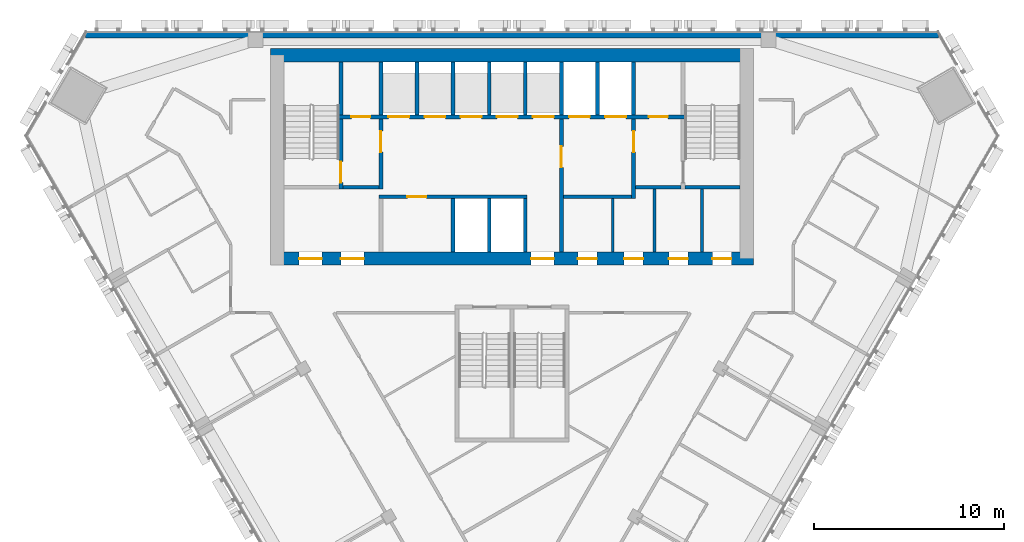
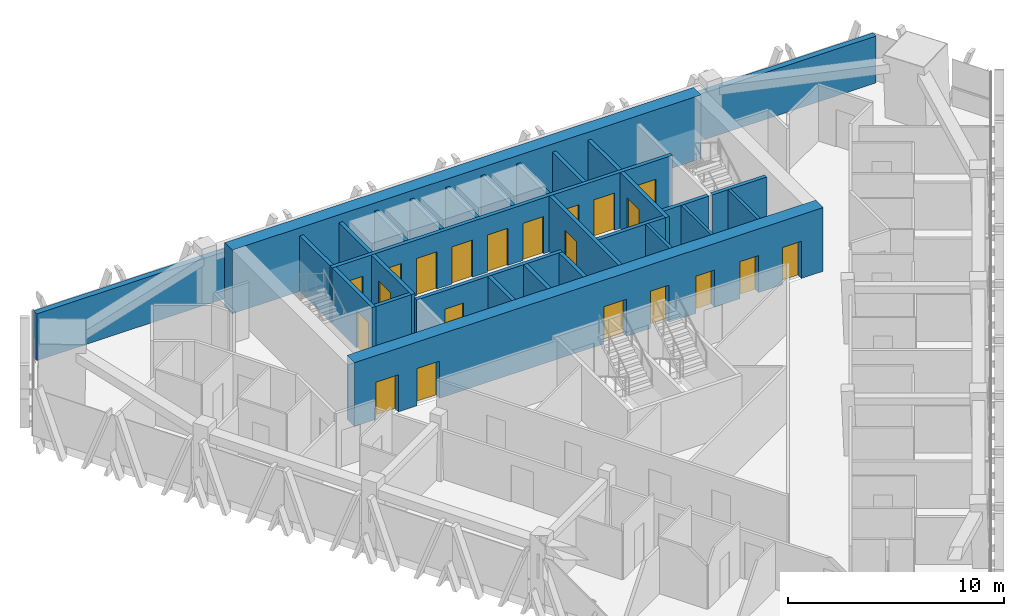
# One storey, part 11 of 16: 28 walls, 21 doors, 21 openings.
"""IFC4 building model written with IfcOpenShell, lengths in metres."""

from ifc_helpers import new_model, si_unit, direction, frame, frame_2d, origin, place, context, subcontext, project, spatial, rectangle, extrude, material, layer, layer_set, type_object, element, fill, save


model = new_model("IFC4")

# Units and contexts
model_context = context("Model", 3, precision=1e-05, world=origin(), true_north=direction((0.0, 1.0)))
body_context = subcontext(model_context, "Body", "Model", "MODEL_VIEW")
ifc_project = project(units=[si_unit("LENGTHUNIT", "METRE"), si_unit("AREAUNIT", "SQUARE_METRE"), si_unit("VOLUMEUNIT", "CUBIC_METRE"), si_unit("PLANEANGLEUNIT", "RADIAN"), si_unit("MASSUNIT", "GRAM", prefix="KILO")], contexts=[model_context])

# Site, building, storey
site_placement = place(None, origin())
site = spatial("IfcSite", under=ifc_project, at=site_placement, CompositionType="ELEMENT")
building_placement = place(site_placement, origin())
building = spatial("IfcBuilding", under=site, at=building_placement, Name="Altiplano Prism Tower", CompositionType="ELEMENT")
storey_placement = place(building_placement, frame((0.0, 0.0, 198.0)))
storey = spatial("IfcBuildingStorey", under=building, at=storey_placement, Name="L51", CompositionType="ELEMENT", Elevation=198.0)

# Wall, openings, doors
ifc_material_1 = material(Name="Concrete C60/75", Category="concrete")
ifc_layer_1 = layer(ifc_material_1, 0.699951171875)
ifc_layer_set_1 = layer_set([ifc_layer_1], Name="Concrete C60/75")
wall_type_1 = type_object("IfcWallType", Name="Core wall 700", PredefinedType="SHEAR", material=ifc_layer_set_1)
wall_1_placement = place(storey_placement, frame((72.64990234375, 93.050048828125, 0.0), z_axis=(0.0, 0.0, 1.0), x_axis=(1.0, 0.0, 0.0)))
wall_1 = element("IfcWall", 1, at=wall_1_placement, inside=storey, type_object=wall_type_1, Name="Core wall S L51", PredefinedType="SHEAR", context=body_context, shape_type="SweptSolid", body=[
    extrude(rectangle(XDim=25.050048828125, YDim=0.699951171875, at=frame_2d((12.52490234375, 0.0))), origin(), (0.0, 0.0, 1.0), 3.60009765625),
])
opening_1_placement = place(wall_1_placement, frame((1.14990234375, 0.0, 0.0)))
opening_1 = element("IfcOpeningElement", 2, at=opening_1_placement, cuts=wall_1, Name="Opening D3287", PredefinedType="OPENING", context=body_context, shape_type="SweptSolid", body=[
    extrude(rectangle(XDim=1.199951171875, YDim=2.10009765625, at=frame_2d((0.60009765625, 1.050048828125))), frame((0.0, 0.3603515625, 0.0), z_axis=(0.0, -1.0, 0.0), x_axis=(1.0, 0.0, 0.0)), (0.0, 0.0, 1.0), 0.720947265625),
])
opening_2_placement = place(wall_1_placement, frame((3.35009765625, 0.0, 0.0)))
opening_2 = element("IfcOpeningElement", 3, at=opening_2_placement, cuts=wall_1, Name="Opening D3288", PredefinedType="OPENING", context=body_context, shape_type="SweptSolid", body=[
    extrude(rectangle(XDim=1.199951171875, YDim=2.10009765625, at=frame_2d((0.60009765625, 1.050048828125))), frame((0.0, 0.3603515625, 0.0), z_axis=(0.0, -1.0, 0.0), x_axis=(1.0, 0.0, 0.0)), (0.0, 0.0, 1.0), 0.720947265625),
])
opening_3_placement = place(wall_1_placement, frame((13.35009765625, 0.0, 0.0)))
opening_3 = element("IfcOpeningElement", 4, at=opening_3_placement, cuts=wall_1, Name="Opening D3289", PredefinedType="OPENING", context=body_context, shape_type="SweptSolid", body=[
    extrude(rectangle(XDim=1.199951171875, YDim=2.10009765625, at=frame_2d((0.60009765625, 1.050048828125))), frame((0.0, 0.3603515625, 0.0), z_axis=(0.0, -1.0, 0.0), x_axis=(1.0, 0.0, 0.0)), (0.0, 0.0, 1.0), 0.720947265625),
])
opening_4_placement = place(wall_1_placement, frame((15.8125, 0.0, 0.0)))
opening_4 = element("IfcOpeningElement", 5, at=opening_4_placement, cuts=wall_1, Name="Opening D3292", PredefinedType="OPENING", context=body_context, shape_type="SweptSolid", body=[
    extrude(rectangle(XDim=1.0, YDim=2.10009765625, at=frame_2d((0.5, 1.050048828125))), frame((0.0, 0.3603515625, 0.0), z_axis=(0.0, -1.0, 0.0), x_axis=(1.0, 0.0, 0.0)), (0.0, 0.0, 1.0), 0.720947265625),
])
opening_5_placement = place(wall_1_placement, frame((18.25, 0.0, 0.0)))
opening_5 = element("IfcOpeningElement", 6, at=opening_5_placement, cuts=wall_1, Name="Opening D3293", PredefinedType="OPENING", context=body_context, shape_type="SweptSolid", body=[
    extrude(rectangle(XDim=1.0, YDim=2.10009765625, at=frame_2d((0.5, 1.050048828125))), frame((0.0, 0.3603515625, 0.0), z_axis=(0.0, -1.0, 0.0), x_axis=(1.0, 0.0, 0.0)), (0.0, 0.0, 1.0), 0.720947265625),
])
opening_6_placement = place(wall_1_placement, frame((20.60009765625, 0.0, 0.0)))
opening_6 = element("IfcOpeningElement", 7, at=opening_6_placement, cuts=wall_1, Name="Opening D3294", PredefinedType="OPENING", context=body_context, shape_type="SweptSolid", body=[
    extrude(rectangle(XDim=1.0, YDim=2.10009765625, at=frame_2d((0.5, 1.050048828125))), frame((0.0, 0.3603515625, 0.0), z_axis=(0.0, -1.0, 0.0), x_axis=(1.0, 0.0, 0.0)), (0.0, 0.0, 1.0), 0.720947265625),
])
opening_7_placement = place(wall_1_placement, frame((22.887451171875, 0.0, 0.0)))
opening_7 = element("IfcOpeningElement", 8, at=opening_7_placement, cuts=wall_1, Name="Opening D3295", PredefinedType="OPENING", context=body_context, shape_type="SweptSolid", body=[
    extrude(rectangle(XDim=1.0, YDim=2.10009765625, at=frame_2d((0.5, 1.050048828125))), frame((0.0, 0.3603515625, 0.0), z_axis=(0.0, -1.0, 0.0), x_axis=(1.0, 0.0, 0.0)), (0.0, 0.0, 1.0), 0.720947265625),
])
ifc_material_2 = material(Name="Fire-rated steel door", Category="steel")
door_type_1 = type_object("IfcDoorType", Name="Core room door 1000 x 2100", OperationType="NOTDEFINED", PredefinedType="NOTDEFINED", material=ifc_material_2)
door_1_placement = place(opening_4_placement, origin())
door_1 = element("IfcDoor", 9, at=door_1_placement, inside=storey, type_object=door_type_1, Name="Core room door D3292", OperationType="SINGLE_SWING_RIGHT", OverallHeight=2.10009765625, OverallWidth=1.0, PredefinedType="NOTDEFINED", context=body_context, shape_type="SweptSolid", body=[
    extrude(rectangle(XDim=1.0, YDim=2.10009765625, at=frame_2d((0.5, 1.050048828125))), frame((0.0, 0.02490234375, 0.0), z_axis=(0.0, -1.0, 0.0), x_axis=(1.0, 0.0, 0.0)), (0.0, 0.0, 1.0), 0.050048828125),
])
fill(opening_4, door_1)
door_2_placement = place(opening_5_placement, origin())
door_2 = element("IfcDoor", 10, at=door_2_placement, inside=storey, type_object=door_type_1, Name="Core room door D3293", OperationType="SINGLE_SWING_LEFT", OverallHeight=2.10009765625, OverallWidth=1.0, PredefinedType="NOTDEFINED", context=body_context, shape_type="SweptSolid", body=[
    extrude(rectangle(XDim=1.0, YDim=2.10009765625, at=frame_2d((0.5, 1.050048828125))), frame((0.0, 0.02490234375, 0.0), z_axis=(0.0, -1.0, 0.0), x_axis=(1.0, 0.0, 0.0)), (0.0, 0.0, 1.0), 0.050048828125),
])
fill(opening_5, door_2)
door_3_placement = place(opening_6_placement, origin())
door_3 = element("IfcDoor", 11, at=door_3_placement, inside=storey, type_object=door_type_1, Name="Core room door D3294", OperationType="SINGLE_SWING_RIGHT", OverallHeight=2.10009765625, OverallWidth=1.0, PredefinedType="NOTDEFINED", context=body_context, shape_type="SweptSolid", body=[
    extrude(rectangle(XDim=1.0, YDim=2.10009765625, at=frame_2d((0.5, 1.050048828125))), frame((0.0, 0.02490234375, 0.0), z_axis=(0.0, -1.0, 0.0), x_axis=(1.0, 0.0, 0.0)), (0.0, 0.0, 1.0), 0.050048828125),
])
fill(opening_6, door_3)
door_4_placement = place(opening_7_placement, origin())
door_4 = element("IfcDoor", 12, at=door_4_placement, inside=storey, type_object=door_type_1, Name="Core room door D3295", OperationType="SINGLE_SWING_LEFT", OverallHeight=2.10009765625, OverallWidth=1.0, PredefinedType="NOTDEFINED", context=body_context, shape_type="SweptSolid", body=[
    extrude(rectangle(XDim=1.0, YDim=2.10009765625, at=frame_2d((0.5, 1.050048828125))), frame((0.0, 0.02490234375, 0.0), z_axis=(0.0, -1.0, 0.0), x_axis=(1.0, 0.0, 0.0)), (0.0, 0.0, 1.0), 0.050048828125),
])
fill(opening_7, door_4)
door_type_2 = type_object("IfcDoorType", Name="Lobby fire door 1200 x 2100", OperationType="NOTDEFINED", PredefinedType="NOTDEFINED", material=ifc_material_2)
door_5_placement = place(opening_1_placement, origin())
door_5 = element("IfcDoor", 13, at=door_5_placement, inside=storey, type_object=door_type_2, Name="Lobby fire door D3287", OperationType="SINGLE_SWING_RIGHT", OverallHeight=2.10009765625, OverallWidth=1.199951171875, PredefinedType="NOTDEFINED", context=body_context, shape_type="SweptSolid", body=[
    extrude(rectangle(XDim=1.199951171875, YDim=2.10009765625, at=frame_2d((0.60009765625, 1.050048828125))), frame((0.0, 0.02490234375, 0.0), z_axis=(0.0, -1.0, 0.0), x_axis=(1.0, 0.0, 0.0)), (0.0, 0.0, 1.0), 0.050048828125),
])
fill(opening_1, door_5)
door_6_placement = place(opening_2_placement, origin())
door_6 = element("IfcDoor", 14, at=door_6_placement, inside=storey, type_object=door_type_2, Name="Lobby fire door D3288", OperationType="SINGLE_SWING_LEFT", OverallHeight=2.10009765625, OverallWidth=1.199951171875, PredefinedType="NOTDEFINED", context=body_context, shape_type="SweptSolid", body=[
    extrude(rectangle(XDim=1.199951171875, YDim=2.10009765625, at=frame_2d((0.60009765625, 1.050048828125))), frame((0.0, 0.02490234375, 0.0), z_axis=(0.0, -1.0, 0.0), x_axis=(1.0, 0.0, 0.0)), (0.0, 0.0, 1.0), 0.050048828125),
])
fill(opening_2, door_6)
door_7_placement = place(opening_3_placement, origin())
door_7 = element("IfcDoor", 15, at=door_7_placement, inside=storey, type_object=door_type_2, Name="Lobby fire door D3289", OperationType="SINGLE_SWING_RIGHT", OverallHeight=2.10009765625, OverallWidth=1.199951171875, PredefinedType="NOTDEFINED", context=body_context, shape_type="SweptSolid", body=[
    extrude(rectangle(XDim=1.199951171875, YDim=2.10009765625, at=frame_2d((0.60009765625, 1.050048828125))), frame((0.0, 0.02490234375, 0.0), z_axis=(0.0, -1.0, 0.0), x_axis=(1.0, 0.0, 0.0)), (0.0, 0.0, 1.0), 0.050048828125),
])
fill(opening_3, door_7)

# Walls
wall_2_placement = place(storey_placement, frame((97.35009765625, 103.75, 0.0), z_axis=(0.0, 0.0, 1.0), x_axis=(-1.0, 0.0, 0.0)))
element("IfcWall", 16, at=wall_2_placement, inside=storey, type_object=wall_type_1, Name="Core wall N L51", PredefinedType="SHEAR", context=body_context, shape_type="SweptSolid", body=[
    extrude(rectangle(XDim=25.050048828125, YDim=0.699951171875, at=frame_2d((12.52490234375, 0.0))), origin(), (0.0, 0.0, 1.0), 3.60009765625),
])
ifc_material_3 = material(Name="Fire-rated gypsum board partition")
ifc_layer_2 = layer(ifc_material_3, 0.14990234375)
ifc_layer_set_2 = layer_set([ifc_layer_2], Name="Fire-rated gypsum board partition")
wall_type_2 = type_object("IfcWallType", Name="Room partition 150", PredefinedType="PARTITIONING", material=ifc_layer_set_2)
wall_3_placement = place(storey_placement, frame((90.300048828125, 93.39990234375, 0.0), z_axis=(0.0, 0.0, 1.0), x_axis=(0.0, 1.0, 0.0)))
element("IfcWall", 17, at=wall_3_placement, inside=storey, type_object=wall_type_2, Name="Room partition L51", PredefinedType="PARTITIONING", context=body_context, shape_type="SweptSolid", body=[
    extrude(rectangle(XDim=2.800048828125, YDim=0.14990234375, at=frame_2d((1.39990234375, 0.0))), origin(), (0.0, 0.0, 1.0), 3.14990234375),
])
for number, where, z_axis, x_axis, name in (
    (18, (92.5, 93.39990234375, 0.0), (0.0, 0.0, 1.0), (0.0, 1.0, 0.0), "Room partition L51"),
    (19, (95.0, 93.39990234375, 0.0), (0.0, 0.0, 1.0), (0.0, 1.0, 0.0), "Room partition L51"),
):
    element("IfcWall", number, at=place(storey_placement, frame(where, z_axis=z_axis, x_axis=x_axis)), inside=storey, type_object=wall_type_2, Name=name, PredefinedType="PARTITIONING", context=body_context, shape_type="SweptSolid", body=[
        extrude(rectangle(XDim=3.300048828125, YDim=0.14990234375, at=frame_2d((1.64990234375, 0.0))), origin(), (0.0, 0.0, 1.0), 3.14990234375),
    ])
ifc_layer_3 = layer(ifc_material_1, 0.199951171875)
ifc_layer_set_3 = layer_set([ifc_layer_3], Name="Concrete C60/75")
wall_type_3 = type_object("IfcWallType", Name="Shaft wall 200", PredefinedType="SOLIDWALL", material=ifc_layer_set_3)
for number, where, z_axis, x_axis, name in (
    (20, (81.89990234375, 93.39990234375, 0.0), (0.0, 0.0, 1.0), (0.0, 1.0, 0.0), "Shaft wall L51"),
    (21, (83.800048828125, 93.39990234375, 0.0), (0.0, 0.0, 1.0), (0.0, 1.0, 0.0), "Shaft wall L51"),
    (22, (85.699951171875, 93.39990234375, 0.0), (0.0, 0.0, 1.0), (0.0, 1.0, 0.0), "Shaft wall L51"),
):
    element("IfcWall", number, at=place(storey_placement, frame(where, z_axis=z_axis, x_axis=x_axis)), inside=storey, type_object=wall_type_3, Name=name, PredefinedType="SOLIDWALL", context=body_context, shape_type="SweptSolid", body=[
        extrude(rectangle(XDim=2.800048828125, YDim=0.199951171875, at=frame_2d((1.39990234375, 0.0))), origin(), (0.0, 0.0, 1.0), 3.14990234375),
    ])

# Wall, opening, door
wall_4_placement = place(storey_placement, frame((78.0, 96.300048828125, 0.0), z_axis=(0.0, 0.0, 1.0), x_axis=(1.0, 0.0, 0.0)))
wall_4 = element("IfcWall", 23, at=wall_4_placement, inside=storey, type_object=wall_type_3, Name="Shaft wall L51", PredefinedType="SOLIDWALL", context=body_context, shape_type="SweptSolid", body=[
    extrude(rectangle(XDim=7.800048828125, YDim=0.199951171875, at=frame_2d((3.89990234375, 0.0))), origin(), (0.0, 0.0, 1.0), 3.14990234375),
])
opening_8_placement = place(wall_4_placement, frame((1.5, 0.0, 0.0)))
opening_8 = element("IfcOpeningElement", 24, at=opening_8_placement, cuts=wall_4, Name="Opening D3296", PredefinedType="OPENING", context=body_context, shape_type="SweptSolid", body=[
    extrude(rectangle(XDim=1.0, YDim=2.10009765625, at=frame_2d((0.5, 1.050048828125))), frame((0.0, 0.1103515625, 0.0), z_axis=(0.0, -1.0, 0.0), x_axis=(1.0, 0.0, 0.0)), (0.0, 0.0, 1.0), 0.220947265625),
])
door_8_placement = place(opening_8_placement, origin())
door_8 = element("IfcDoor", 25, at=door_8_placement, inside=storey, type_object=door_type_1, Name="Core room door D3296", OperationType="SINGLE_SWING_RIGHT", OverallHeight=2.10009765625, OverallWidth=1.0, PredefinedType="NOTDEFINED", context=body_context, shape_type="SweptSolid", body=[
    extrude(rectangle(XDim=1.0, YDim=2.10009765625, at=frame_2d((0.5, 1.050048828125))), frame((0.0, 0.02490234375, 0.0), z_axis=(0.0, -1.0, 0.0), x_axis=(1.0, 0.0, 0.0)), (0.0, 0.0, 1.0), 0.050048828125),
])
fill(opening_8, door_8)

# Walls
for number, where, z_axis, x_axis, name in (
    (26, (78.10009765625, 100.60009765625, 0.0), (0.0, 0.0, 1.0), (0.0, 1.0, 0.0), "Shaft wall L51"),
    (27, (80.0, 100.60009765625, 0.0), (0.0, 0.0, 1.0), (0.0, 1.0, 0.0), "Shaft wall L51"),
    (28, (81.89990234375, 100.60009765625, 0.0), (0.0, 0.0, 1.0), (0.0, 1.0, 0.0), "Shaft wall L51"),
    (29, (83.800048828125, 100.60009765625, 0.0), (0.0, 0.0, 1.0), (0.0, 1.0, 0.0), "Shaft wall L51"),
    (30, (85.699951171875, 100.60009765625, 0.0), (0.0, 0.0, 1.0), (0.0, 1.0, 0.0), "Shaft wall L51"),
    (31, (87.60009765625, 100.60009765625, 0.0), (0.0, 0.0, 1.0), (0.0, 1.0, 0.0), "Shaft wall L51"),
    (32, (89.5, 100.60009765625, 0.0), (0.0, 0.0, 1.0), (0.0, 1.0, 0.0), "Shaft wall L51"),
    (33, (91.39990234375, 100.60009765625, 0.0), (0.0, 0.0, 1.0), (0.0, 1.0, 0.0), "Shaft wall L51"),
):
    element("IfcWall", number, at=place(storey_placement, frame(where, z_axis=z_axis, x_axis=x_axis)), inside=storey, type_object=wall_type_3, Name=name, PredefinedType="SOLIDWALL", context=body_context, shape_type="SweptSolid", body=[
        extrude(rectangle(XDim=2.7998046875, YDim=0.199951171875, at=frame_2d((1.39990234375, 0.0))), origin(), (0.0, 0.0, 1.0), 3.14990234375),
    ])

# Wall, opening, door
ifc_layer_4 = layer(ifc_material_1, 0.199951171875)
ifc_layer_set_4 = layer_set([ifc_layer_4], Name="Concrete C60/75")
wall_type_4 = type_object("IfcWallType", Name="Stair wall 200", PredefinedType="SOLIDWALL", material=ifc_layer_set_4)
wall_5_placement = place(storey_placement, frame((76.0, 96.699951171875, 0.0), z_axis=(0.0, 0.0, 1.0), x_axis=(0.0, 1.0, 0.0)))
wall_5 = element("IfcWall", 34, at=wall_5_placement, inside=storey, type_object=wall_type_4, Name="Stair wall L51", PredefinedType="SOLIDWALL", context=body_context, shape_type="SweptSolid", body=[
    extrude(rectangle(XDim=3.699951171875, YDim=0.199951171875, at=frame_2d((1.85009765625, 0.0))), origin(), (0.0, 0.0, 1.0), 3.14990234375),
])
opening_9_placement = place(wall_5_placement, frame((0.35009765625, 0.0, 0.0)))
opening_9 = element("IfcOpeningElement", 35, at=opening_9_placement, cuts=wall_5, Name="Opening D3282", PredefinedType="OPENING", context=body_context, shape_type="SweptSolid", body=[
    extrude(rectangle(XDim=1.10009765625, YDim=2.10009765625, at=frame_2d((0.550048828125, 1.050048828125))), frame((0.0, 0.1103515625, 0.0), z_axis=(0.0, -1.0, 0.0), x_axis=(1.0, 0.0, 0.0)), (0.0, 0.0, 1.0), 0.220947265625),
])
door_type_3 = type_object("IfcDoorType", Name="Stair fire door 1100 x 2100", OperationType="NOTDEFINED", PredefinedType="NOTDEFINED", material=ifc_material_2)
door_9_placement = place(opening_9_placement, origin())
door_9 = element("IfcDoor", 36, at=door_9_placement, inside=storey, type_object=door_type_3, Name="Stair fire door D3282", OperationType="SINGLE_SWING_RIGHT", OverallHeight=2.10009765625, OverallWidth=1.10009765625, PredefinedType="NOTDEFINED", context=body_context, shape_type="SweptSolid", body=[
    extrude(rectangle(XDim=1.10009765625, YDim=2.10009765625, at=frame_2d((0.550048828125, 1.050048828125))), frame((0.0, 0.02490234375, 0.0), z_axis=(0.0, -1.0, 0.0), x_axis=(1.0, 0.0, 0.0)), (0.0, 0.0, 1.0), 0.050048828125),
])
fill(opening_9, door_9)

# Wall
wall_6_placement = place(storey_placement, frame((94.10009765625, 96.800048828125, 0.0), z_axis=(0.0, 0.0, 1.0), x_axis=(1.0, 0.0, 0.0)))
element("IfcWall", 37, at=wall_6_placement, inside=storey, type_object=wall_type_4, Name="Stair wall L51", PredefinedType="SOLIDWALL", context=body_context, shape_type="SweptSolid", body=[
    extrude(rectangle(XDim=2.89990234375, YDim=0.199951171875, at=frame_2d((1.449951171875, 0.0))), origin(), (0.0, 0.0, 1.0), 3.14990234375),
])

# Wall, openings, doors
wall_7_placement = place(storey_placement, frame((75.89990234375, 100.5, 0.0), z_axis=(0.0, 0.0, 1.0), x_axis=(1.0, 0.0, 0.0)))
wall_7 = element("IfcWall", 38, at=wall_7_placement, inside=storey, type_object=wall_type_4, Name="Stair wall L51", PredefinedType="SOLIDWALL", context=body_context, shape_type="SweptSolid", body=[
    extrude(rectangle(XDim=18.2001953125, YDim=0.199951171875, at=frame_2d((9.10009765625, 0.0))), origin(), (0.0, 0.0, 1.0), 3.14990234375),
])
opening_10_placement = place(wall_7_placement, frame((2.60009765625, 0.0, 0.0)))
opening_10 = element("IfcOpeningElement", 39, at=opening_10_placement, cuts=wall_7, Name="Opening LD-ML1-L51", PredefinedType="OPENING", context=body_context, shape_type="SweptSolid", body=[
    extrude(rectangle(XDim=1.10009765625, YDim=2.10009765625, at=frame_2d((0.550048828125, 1.050048828125))), frame((0.0, 0.1103515625, 0.0), z_axis=(0.0, -1.0, 0.0), x_axis=(1.0, 0.0, 0.0)), (0.0, 0.0, 1.0), 0.220947265625),
])
opening_11_placement = place(wall_7_placement, frame((4.5, 0.0, 0.0)))
opening_11 = element("IfcOpeningElement", 40, at=opening_11_placement, cuts=wall_7, Name="Opening LD-ML2-L51", PredefinedType="OPENING", context=body_context, shape_type="SweptSolid", body=[
    extrude(rectangle(XDim=1.10009765625, YDim=2.10009765625, at=frame_2d((0.550048828125, 1.050048828125))), frame((0.0, 0.1103515625, 0.0), z_axis=(0.0, -1.0, 0.0), x_axis=(1.0, 0.0, 0.0)), (0.0, 0.0, 1.0), 0.220947265625),
])
opening_12_placement = place(wall_7_placement, frame((6.39990234375, 0.0, 0.0)))
opening_12 = element("IfcOpeningElement", 41, at=opening_12_placement, cuts=wall_7, Name="Opening LD-ML3-L51", PredefinedType="OPENING", context=body_context, shape_type="SweptSolid", body=[
    extrude(rectangle(XDim=1.10009765625, YDim=2.10009765625, at=frame_2d((0.550048828125, 1.050048828125))), frame((0.0, 0.1103515625, 0.0), z_axis=(0.0, -1.0, 0.0), x_axis=(1.0, 0.0, 0.0)), (0.0, 0.0, 1.0), 0.220947265625),
])
opening_13_placement = place(wall_7_placement, frame((8.300048828125, 0.0, 0.0)))
opening_13 = element("IfcOpeningElement", 42, at=opening_13_placement, cuts=wall_7, Name="Opening LD-ML4-L51", PredefinedType="OPENING", context=body_context, shape_type="SweptSolid", body=[
    extrude(rectangle(XDim=1.10009765625, YDim=2.10009765625, at=frame_2d((0.550048828125, 1.050048828125))), frame((0.0, 0.1103515625, 0.0), z_axis=(0.0, -1.0, 0.0), x_axis=(1.0, 0.0, 0.0)), (0.0, 0.0, 1.0), 0.220947265625),
])
opening_14_placement = place(wall_7_placement, frame((10.199951171875, 0.0, 0.0)))
opening_14 = element("IfcOpeningElement", 43, at=opening_14_placement, cuts=wall_7, Name="Opening LD-ML5-L51", PredefinedType="OPENING", context=body_context, shape_type="SweptSolid", body=[
    extrude(rectangle(XDim=1.10009765625, YDim=2.10009765625, at=frame_2d((0.550048828125, 1.050048828125))), frame((0.0, 0.1103515625, 0.0), z_axis=(0.0, -1.0, 0.0), x_axis=(1.0, 0.0, 0.0)), (0.0, 0.0, 1.0), 0.220947265625),
])
opening_15_placement = place(wall_7_placement, frame((12.10009765625, 0.0, 0.0)))
opening_15 = element("IfcOpeningElement", 44, at=opening_15_placement, cuts=wall_7, Name="Opening LD-FF1-L51", PredefinedType="OPENING", context=body_context, shape_type="SweptSolid", body=[
    extrude(rectangle(XDim=1.10009765625, YDim=2.10009765625, at=frame_2d((0.550048828125, 1.050048828125))), frame((0.0, 0.1103515625, 0.0), z_axis=(0.0, -1.0, 0.0), x_axis=(1.0, 0.0, 0.0)), (0.0, 0.0, 1.0), 0.220947265625),
])
opening_16_placement = place(wall_7_placement, frame((14.0, 0.0, 0.0)))
opening_16 = element("IfcOpeningElement", 45, at=opening_16_placement, cuts=wall_7, Name="Opening LD-FF2-L51", PredefinedType="OPENING", context=body_context, shape_type="SweptSolid", body=[
    extrude(rectangle(XDim=1.10009765625, YDim=2.10009765625, at=frame_2d((0.550048828125, 1.050048828125))), frame((0.0, 0.1103515625, 0.0), z_axis=(0.0, -1.0, 0.0), x_axis=(1.0, 0.0, 0.0)), (0.0, 0.0, 1.0), 0.220947265625),
])
opening_17_placement = place(wall_7_placement, frame((0.64990234375, 0.0, 0.0)))
opening_17 = element("IfcOpeningElement", 46, at=opening_17_placement, cuts=wall_7, Name="Opening D3290", PredefinedType="OPENING", context=body_context, shape_type="SweptSolid", body=[
    extrude(rectangle(XDim=1.0, YDim=2.10009765625, at=frame_2d((0.5, 1.050048828125))), frame((0.0, 0.1103515625, 0.0), z_axis=(0.0, -1.0, 0.0), x_axis=(1.0, 0.0, 0.0)), (0.0, 0.0, 1.0), 0.220947265625),
])
opening_18_placement = place(wall_7_placement, frame((16.300048828125, 0.0, 0.0)))
opening_18 = element("IfcOpeningElement", 47, at=opening_18_placement, cuts=wall_7, Name="Opening D3291", PredefinedType="OPENING", context=body_context, shape_type="SweptSolid", body=[
    extrude(rectangle(XDim=1.0, YDim=2.10009765625, at=frame_2d((0.5, 1.050048828125))), frame((0.0, 0.1103515625, 0.0), z_axis=(0.0, -1.0, 0.0), x_axis=(1.0, 0.0, 0.0)), (0.0, 0.0, 1.0), 0.220947265625),
])
door_10_placement = place(opening_17_placement, origin())
door_10 = element("IfcDoor", 48, at=door_10_placement, inside=storey, type_object=door_type_1, Name="Core room door D3290", OperationType="SINGLE_SWING_LEFT", OverallHeight=2.10009765625, OverallWidth=1.0, PredefinedType="NOTDEFINED", context=body_context, shape_type="SweptSolid", body=[
    extrude(rectangle(XDim=1.0, YDim=2.10009765625, at=frame_2d((0.5, 1.050048828125))), frame((0.0, 0.02490234375, 0.0), z_axis=(0.0, -1.0, 0.0), x_axis=(1.0, 0.0, 0.0)), (0.0, 0.0, 1.0), 0.050048828125),
])
fill(opening_17, door_10)
door_11_placement = place(opening_18_placement, origin())
door_11 = element("IfcDoor", 49, at=door_11_placement, inside=storey, type_object=door_type_1, Name="Core room door D3291", OperationType="SINGLE_SWING_RIGHT", OverallHeight=2.10009765625, OverallWidth=1.0, PredefinedType="NOTDEFINED", context=body_context, shape_type="SweptSolid", body=[
    extrude(rectangle(XDim=1.0, YDim=2.10009765625, at=frame_2d((0.5, 1.050048828125))), frame((0.0, 0.02490234375, 0.0), z_axis=(0.0, -1.0, 0.0), x_axis=(1.0, 0.0, 0.0)), (0.0, 0.0, 1.0), 0.050048828125),
])
fill(opening_18, door_11)
ifc_material_4 = material(Name="Stainless steel landing door", Category="steel")
door_type_4 = type_object("IfcDoorType", Name="Landing door 1100 x 2100", OperationType="NOTDEFINED", PredefinedType="NOTDEFINED", material=ifc_material_4)
door_12_placement = place(opening_10_placement, origin())
door_12 = element("IfcDoor", 50, at=door_12_placement, inside=storey, type_object=door_type_4, Name="Landing doors ML1", OperationType="SLIDING_TO_RIGHT", OverallHeight=2.10009765625, OverallWidth=1.10009765625, PredefinedType="NOTDEFINED", context=body_context, shape_type="SweptSolid", body=[
    extrude(rectangle(XDim=1.10009765625, YDim=2.10009765625, at=frame_2d((0.550048828125, 1.050048828125))), frame((0.0, 0.02490234375, 0.0), z_axis=(0.0, -1.0, 0.0), x_axis=(1.0, 0.0, 0.0)), (0.0, 0.0, 1.0), 0.050048828125),
])
fill(opening_10, door_12)
door_13_placement = place(opening_11_placement, origin())
door_13 = element("IfcDoor", 51, at=door_13_placement, inside=storey, type_object=door_type_4, Name="Landing doors ML2", OperationType="SLIDING_TO_LEFT", OverallHeight=2.10009765625, OverallWidth=1.10009765625, PredefinedType="NOTDEFINED", context=body_context, shape_type="SweptSolid", body=[
    extrude(rectangle(XDim=1.10009765625, YDim=2.10009765625, at=frame_2d((0.550048828125, 1.050048828125))), frame((0.0, 0.02490234375, 0.0), z_axis=(0.0, -1.0, 0.0), x_axis=(1.0, 0.0, 0.0)), (0.0, 0.0, 1.0), 0.050048828125),
])
fill(opening_11, door_13)
door_14_placement = place(opening_12_placement, origin())
door_14 = element("IfcDoor", 52, at=door_14_placement, inside=storey, type_object=door_type_4, Name="Landing doors ML3", OperationType="SLIDING_TO_RIGHT", OverallHeight=2.10009765625, OverallWidth=1.10009765625, PredefinedType="NOTDEFINED", context=body_context, shape_type="SweptSolid", body=[
    extrude(rectangle(XDim=1.10009765625, YDim=2.10009765625, at=frame_2d((0.550048828125, 1.050048828125))), frame((0.0, 0.02490234375, 0.0), z_axis=(0.0, -1.0, 0.0), x_axis=(1.0, 0.0, 0.0)), (0.0, 0.0, 1.0), 0.050048828125),
])
fill(opening_12, door_14)
door_15_placement = place(opening_13_placement, origin())
door_15 = element("IfcDoor", 53, at=door_15_placement, inside=storey, type_object=door_type_4, Name="Landing doors ML4", OperationType="SLIDING_TO_LEFT", OverallHeight=2.10009765625, OverallWidth=1.10009765625, PredefinedType="NOTDEFINED", context=body_context, shape_type="SweptSolid", body=[
    extrude(rectangle(XDim=1.10009765625, YDim=2.10009765625, at=frame_2d((0.550048828125, 1.050048828125))), frame((0.0, 0.02490234375, 0.0), z_axis=(0.0, -1.0, 0.0), x_axis=(1.0, 0.0, 0.0)), (0.0, 0.0, 1.0), 0.050048828125),
])
fill(opening_13, door_15)
door_16_placement = place(opening_14_placement, origin())
door_16 = element("IfcDoor", 54, at=door_16_placement, inside=storey, type_object=door_type_4, Name="Landing doors ML5", OperationType="SLIDING_TO_RIGHT", OverallHeight=2.10009765625, OverallWidth=1.10009765625, PredefinedType="NOTDEFINED", context=body_context, shape_type="SweptSolid", body=[
    extrude(rectangle(XDim=1.10009765625, YDim=2.10009765625, at=frame_2d((0.550048828125, 1.050048828125))), frame((0.0, 0.02490234375, 0.0), z_axis=(0.0, -1.0, 0.0), x_axis=(1.0, 0.0, 0.0)), (0.0, 0.0, 1.0), 0.050048828125),
])
fill(opening_14, door_16)
door_17_placement = place(opening_15_placement, origin())
door_17 = element("IfcDoor", 55, at=door_17_placement, inside=storey, type_object=door_type_4, Name="Landing doors FF1", OperationType="SLIDING_TO_RIGHT", OverallHeight=2.10009765625, OverallWidth=1.10009765625, PredefinedType="NOTDEFINED", context=body_context, shape_type="SweptSolid", body=[
    extrude(rectangle(XDim=1.10009765625, YDim=2.10009765625, at=frame_2d((0.550048828125, 1.050048828125))), frame((0.0, 0.02490234375, 0.0), z_axis=(0.0, -1.0, 0.0), x_axis=(1.0, 0.0, 0.0)), (0.0, 0.0, 1.0), 0.050048828125),
])
fill(opening_15, door_17)
door_18_placement = place(opening_16_placement, origin())
door_18 = element("IfcDoor", 56, at=door_18_placement, inside=storey, type_object=door_type_4, Name="Landing doors FF2", OperationType="SLIDING_TO_LEFT", OverallHeight=2.10009765625, OverallWidth=1.10009765625, PredefinedType="NOTDEFINED", context=body_context, shape_type="SweptSolid", body=[
    extrude(rectangle(XDim=1.10009765625, YDim=2.10009765625, at=frame_2d((0.550048828125, 1.050048828125))), frame((0.0, 0.02490234375, 0.0), z_axis=(0.0, -1.0, 0.0), x_axis=(1.0, 0.0, 0.0)), (0.0, 0.0, 1.0), 0.050048828125),
])
fill(opening_16, door_18)

# Walls
wall_8_placement = place(storey_placement, frame((76.0, 100.60009765625, 0.0), z_axis=(0.0, 0.0, 1.0), x_axis=(0.0, 1.0, 0.0)))
element("IfcWall", 57, at=wall_8_placement, inside=storey, type_object=wall_type_4, Name="Stair wall L51", PredefinedType="SOLIDWALL", context=body_context, shape_type="SweptSolid", body=[
    extrude(rectangle(XDim=2.7998046875, YDim=0.199951171875, at=frame_2d((1.39990234375, 0.0))), origin(), (0.0, 0.0, 1.0), 3.14990234375),
])
ifc_material_5 = material(Name="Concrete C40", Category="concrete")
ifc_layer_5 = layer(ifc_material_5, 0.300048828125)
ifc_layer_set_5 = layer_set([ifc_layer_5], Name="Concrete C40")
wall_type_5 = type_object("IfcWallType", Name="Stone-clad external wall 300", PredefinedType="SOLIDWALL", material=ifc_layer_set_5)
wall_9_placement = place(storey_placement, frame((62.56982421875, 104.7900390625, 0.0), z_axis=(0.0, 0.0, 1.0), x_axis=(1.0, 0.0, 0.0)))
element("IfcWall", 58, at=wall_9_placement, inside=storey, type_object=wall_type_5, Name="External wall north face L51", PredefinedType="SOLIDWALL", context=body_context, shape_type="SweptSolid", body=[
    extrude(rectangle(XDim=44.8603515625, YDim=0.300048828125, at=frame_2d((22.43017578125, 0.0))), origin(), (0.0, 0.0, 1.0), 2.64990234375),
])

# Wall, opening, door
ifc_layer_6 = layer(ifc_material_1, 0.199951171875)
ifc_layer_set_6 = layer_set([ifc_layer_6], Name="Concrete C60/75")
wall_type_6 = type_object("IfcWallType", Name="Vestibule wall 200", PredefinedType="PARTITIONING", material=ifc_layer_set_6)
wall_10_placement = place(storey_placement, frame((87.60009765625, 93.39990234375, 0.0), z_axis=(0.0, 0.0, 1.0), x_axis=(0.0, 1.0, 0.0)))
wall_10 = element("IfcWall", 59, at=wall_10_placement, inside=storey, type_object=wall_type_6, Name="Vestibule wall L51", PredefinedType="PARTITIONING", context=body_context, shape_type="SweptSolid", body=[
    extrude(rectangle(XDim=7.0, YDim=0.199951171875, at=frame_2d((3.5, 0.0))), origin(), (0.0, 0.0, 1.0), 3.14990234375),
])
opening_19_placement = place(wall_10_placement, frame((4.449951171875, 0.0, 0.0)))
opening_19 = element("IfcOpeningElement", 60, at=opening_19_placement, cuts=wall_10, Name="Opening D3285", PredefinedType="OPENING", context=body_context, shape_type="SweptSolid", body=[
    extrude(rectangle(XDim=1.10009765625, YDim=2.10009765625, at=frame_2d((0.550048828125, 1.050048828125))), frame((0.0, 0.1103515625, 0.0), z_axis=(0.0, -1.0, 0.0), x_axis=(1.0, 0.0, 0.0)), (0.0, 0.0, 1.0), 0.220947265625),
])
door_type_5 = type_object("IfcDoorType", Name="Vestibule fire door 1100 x 2100", OperationType="NOTDEFINED", PredefinedType="NOTDEFINED", material=ifc_material_2)
door_19_placement = place(opening_19_placement, origin())
door_19 = element("IfcDoor", 61, at=door_19_placement, inside=storey, type_object=door_type_5, Name="Vestibule fire door D3285", OperationType="SINGLE_SWING_RIGHT", OverallHeight=2.10009765625, OverallWidth=1.10009765625, PredefinedType="NOTDEFINED", context=body_context, shape_type="SweptSolid", body=[
    extrude(rectangle(XDim=1.10009765625, YDim=2.10009765625, at=frame_2d((0.550048828125, 1.050048828125))), frame((0.0, 0.02490234375, 0.0), z_axis=(0.0, -1.0, 0.0), x_axis=(1.0, 0.0, 0.0)), (0.0, 0.0, 1.0), 0.050048828125),
])
fill(opening_19, door_19)

# Wall
wall_11_placement = place(storey_placement, frame((87.699951171875, 96.300048828125, 0.0), z_axis=(0.0, 0.0, 1.0), x_axis=(1.0, 0.0, 0.0)))
element("IfcWall", 62, at=wall_11_placement, inside=storey, type_object=wall_type_6, Name="Vestibule wall L51", PredefinedType="PARTITIONING", context=body_context, shape_type="SweptSolid", body=[
    extrude(rectangle(XDim=3.60009765625, YDim=0.199951171875, at=frame_2d((1.800048828125, 0.0))), origin(), (0.0, 0.0, 1.0), 3.14990234375),
])

# Wall, opening, door
wall_12_placement = place(storey_placement, frame((91.39990234375, 96.199951171875, 0.0), z_axis=(0.0, 0.0, 1.0), x_axis=(0.0, 1.0, 0.0)))
wall_12 = element("IfcWall", 63, at=wall_12_placement, inside=storey, type_object=wall_type_6, Name="Vestibule wall L51", PredefinedType="PARTITIONING", context=body_context, shape_type="SweptSolid", body=[
    extrude(rectangle(XDim=4.199951171875, YDim=0.199951171875, at=frame_2d((2.10009765625, 0.0))), origin(), (0.0, 0.0, 1.0), 3.14990234375),
])
opening_20_placement = place(wall_12_placement, frame((2.449951171875, 0.0, 0.0)))
opening_20 = element("IfcOpeningElement", 64, at=opening_20_placement, cuts=wall_12, Name="Opening D3286", PredefinedType="OPENING", context=body_context, shape_type="SweptSolid", body=[
    extrude(rectangle(XDim=1.10009765625, YDim=2.10009765625, at=frame_2d((0.550048828125, 1.050048828125))), frame((0.0, 0.1103515625, 0.0), z_axis=(0.0, -1.0, 0.0), x_axis=(1.0, 0.0, 0.0)), (0.0, 0.0, 1.0), 0.220947265625),
])
door_20_placement = place(opening_20_placement, origin())
door_20 = element("IfcDoor", 65, at=door_20_placement, inside=storey, type_object=door_type_5, Name="Vestibule fire door D3286", OperationType="SINGLE_SWING_LEFT", OverallHeight=2.10009765625, OverallWidth=1.10009765625, PredefinedType="NOTDEFINED", context=body_context, shape_type="SweptSolid", body=[
    extrude(rectangle(XDim=1.10009765625, YDim=2.10009765625, at=frame_2d((0.550048828125, 1.050048828125))), frame((0.0, 0.02490234375, 0.0), z_axis=(0.0, -1.0, 0.0), x_axis=(1.0, 0.0, 0.0)), (0.0, 0.0, 1.0), 0.050048828125),
])
fill(opening_20, door_20)

# Wall
wall_13_placement = place(storey_placement, frame((76.10009765625, 96.800048828125, 0.0), z_axis=(0.0, 0.0, 1.0), x_axis=(1.0, 0.0, 0.0)))
element("IfcWall", 66, at=wall_13_placement, inside=storey, type_object=wall_type_6, Name="Vestibule wall L51", PredefinedType="PARTITIONING", context=body_context, shape_type="SweptSolid", body=[
    extrude(rectangle(XDim=1.89990234375, YDim=0.199951171875, at=frame_2d((0.949951171875, 0.0))), origin(), (0.0, 0.0, 1.0), 3.14990234375),
])

# Wall, opening, door
wall_14_placement = place(storey_placement, frame((78.10009765625, 96.699951171875, 0.0), z_axis=(0.0, 0.0, 1.0), x_axis=(0.0, 1.0, 0.0)))
wall_14 = element("IfcWall", 67, at=wall_14_placement, inside=storey, type_object=wall_type_6, Name="Vestibule wall L51", PredefinedType="PARTITIONING", context=body_context, shape_type="SweptSolid", body=[
    extrude(rectangle(XDim=3.699951171875, YDim=0.199951171875, at=frame_2d((1.85009765625, 0.0))), origin(), (0.0, 0.0, 1.0), 3.14990234375),
])
opening_21_placement = place(wall_14_placement, frame((1.949951171875, 0.0, 0.0)))
opening_21 = element("IfcOpeningElement", 68, at=opening_21_placement, cuts=wall_14, Name="Opening D3284", PredefinedType="OPENING", context=body_context, shape_type="SweptSolid", body=[
    extrude(rectangle(XDim=1.10009765625, YDim=2.10009765625, at=frame_2d((0.550048828125, 1.050048828125))), frame((0.0, 0.1103515625, 0.0), z_axis=(0.0, -1.0, 0.0), x_axis=(1.0, 0.0, 0.0)), (0.0, 0.0, 1.0), 0.220947265625),
])
door_21_placement = place(opening_21_placement, origin())
door_21 = element("IfcDoor", 69, at=door_21_placement, inside=storey, type_object=door_type_5, Name="Vestibule fire door D3284", OperationType="SINGLE_SWING_LEFT", OverallHeight=2.10009765625, OverallWidth=1.10009765625, PredefinedType="NOTDEFINED", context=body_context, shape_type="SweptSolid", body=[
    extrude(rectangle(XDim=1.10009765625, YDim=2.10009765625, at=frame_2d((0.550048828125, 1.050048828125))), frame((0.0, 0.02490234375, 0.0), z_axis=(0.0, -1.0, 0.0), x_axis=(1.0, 0.0, 0.0)), (0.0, 0.0, 1.0), 0.050048828125),
])
fill(opening_21, door_21)

# Wall
wall_15_placement = place(storey_placement, frame((91.5, 96.800048828125, 0.0), z_axis=(0.0, 0.0, 1.0), x_axis=(1.0, 0.0, 0.0)))
element("IfcWall", 70, at=wall_15_placement, inside=storey, type_object=wall_type_6, Name="Vestibule wall L51", PredefinedType="PARTITIONING", context=body_context, shape_type="SweptSolid", body=[
    extrude(rectangle(XDim=2.39990234375, YDim=0.199951171875, at=frame_2d((1.199951171875, 0.0))), origin(), (0.0, 0.0, 1.0), 3.14990234375),
])

save(model, "model.ifc")
